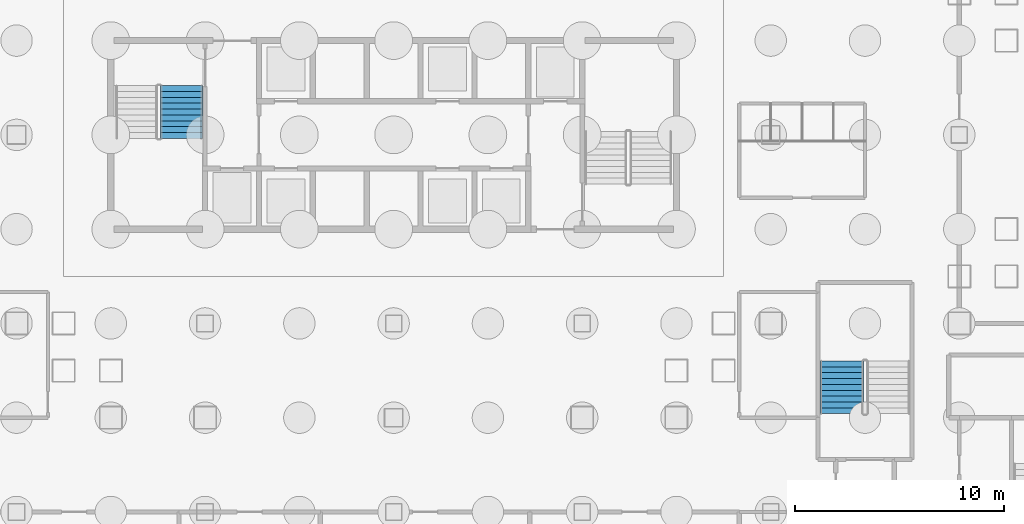
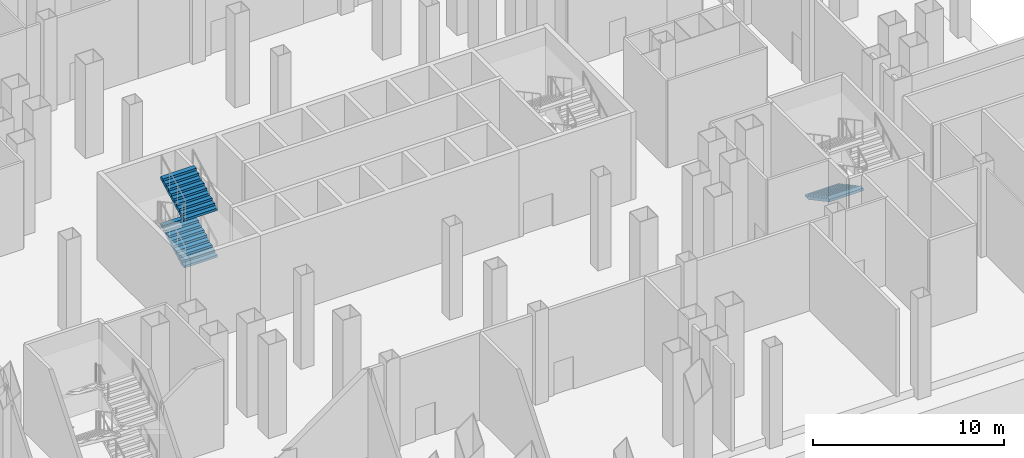
# One storey, part 10 of 25: 3 stair flights, 2 elements without a shape of their own.
"""IFC4 building model written with IfcOpenShell, lengths in metres."""

from ifc_helpers import new_model, si_unit, direction, frame, origin, place, context, subcontext, project, spatial, polygons, material, type_object, element, aggregate, save


model = new_model("IFC4")

# Units and contexts
model_context = context("Model", 3, precision=1e-05, world=origin(), true_north=direction((0.0, 1.0)))
body_context = subcontext(model_context, "Body", "Model", "MODEL_VIEW")
ifc_project = project(units=[si_unit("LENGTHUNIT", "METRE"), si_unit("AREAUNIT", "SQUARE_METRE"), si_unit("VOLUMEUNIT", "CUBIC_METRE"), si_unit("PLANEANGLEUNIT", "RADIAN"), si_unit("MASSUNIT", "GRAM", prefix="KILO")], contexts=[model_context])

# Site, building, storey
site_placement = place(None, origin())
site = spatial("IfcSite", under=ifc_project, at=site_placement, CompositionType="ELEMENT")
building_placement = place(site_placement, origin())
building = spatial("IfcBuilding", under=site, at=building_placement, Name="Caravel Reach Hotel and Residences", CompositionType="ELEMENT")
storey_placement = place(building_placement, frame((0.0, 0.0, -6.0)))
storey = spatial("IfcBuildingStorey", under=building, at=storey_placement, Name="B1", CompositionType="ELEMENT", Elevation=-6.0)

# Stair, stair flights
ifc_material_1 = material(Name="Concrete C40", Category="concrete")
stair_type = type_object("IfcStairType", Name="Core stair", PredefinedType="HALF_TURN_STAIR", material=ifc_material_1)
stair_1_placement = place(storey_placement, origin())
stair_1 = element("IfcStair", 1, at=stair_1_placement, inside=storey, type_object=stair_type, Name="B1 Exit stair A", PredefinedType="HALF_TURN_STAIR")
ifc_material_2 = material(Name="Concrete C40", Category="concrete")
stair_flight_type = type_object("IfcStairFlightType", Name="Core stair flight", PredefinedType="STRAIGHT", material=ifc_material_2)
stair_flight_1_placement = place(storey_placement, frame((21.375, 26.830078125, 1.5), z_axis=(0.0, 0.0, 1.0), x_axis=(0.0, 1.0, 0.0)))
stair_flight_1 = element("IfcStairFlight", 2, at=stair_flight_1_placement, type_object=stair_flight_type, Name="ST-A flight 2", NumberOfRisers=10, NumberOfTreads=9, PredefinedType="STRAIGHT", RiserHeight=0.15, TreadLength=0.28, context=body_context, shape_type="Tessellation", body=[
    polygons([(0.3174408016601862, 1.0, 0.0), (0.3174408016601862, 0.6666666666666667, 0.0), (0.3174408016601862, 0.33333333333333337, 0.0), (0.3174408016601862, 0.0, 0.0), (0.3174408016601862, -0.33333333333333326, 0.0), (0.3174408016601862, -0.6666666666666667, 0.0), (0.3174408016601862, -1.0, 0.0), (2.5210000000000004, 1.0, 1.1799424276820432), (2.5210000000000004, 0.6666666666666667, 1.1799424276820432), (2.5210000000000004, 0.33333333333333337, 1.1799424276820432), (2.5210000000000004, 0.0, 1.1799424276820432), (2.5210000000000004, -0.33333333333333326, 1.1799424276820432), (2.5210000000000004, -0.6666666666666667, 1.1799424276820432), (2.5210000000000004, -1.0, 1.1799424276820432), (2.5210000000000004, 1.0, 1.3499999999999999), (2.5210000000000004, 0.6666666666666667, 1.3499999999999999), (2.5210000000000004, 0.33333333333333337, 1.3499999999999999), (2.5210000000000004, 0.0, 1.3499999999999999), (2.5210000000000004, -0.33333333333333326, 1.3499999999999999), (2.5210000000000004, -0.6666666666666667, 1.3499999999999999), (2.5210000000000004, -1.0, 1.3499999999999999), (2.24, 1.0, 1.3499999999999999), (2.24, 0.6666666666666667, 1.3499999999999999), (2.24, 0.33333333333333337, 1.3499999999999999), (2.24, 0.0, 1.3499999999999999), (2.24, -0.33333333333333326, 1.3499999999999999), (2.24, -0.6666666666666667, 1.3499999999999999), (2.24, -1.0, 1.3499999999999999), (2.24, 1.0, 1.2), (2.24, 0.6666666666666667, 1.2), (2.24, 0.33333333333333337, 1.2), (2.24, 0.0, 1.2), (2.24, -0.33333333333333326, 1.2), (2.24, -0.6666666666666667, 1.2), (2.24, -1.0, 1.2), (1.9600000000000002, 1.0, 1.2), (1.9600000000000002, 0.6666666666666667, 1.2), (1.9600000000000002, 0.33333333333333337, 1.2), (1.9600000000000002, 0.0, 1.2), (1.9600000000000002, -0.33333333333333326, 1.2), (1.9600000000000002, -0.6666666666666667, 1.2), (1.9600000000000002, -1.0, 1.2), (1.9600000000000002, 1.0, 1.05), (1.9600000000000002, 0.6666666666666667, 1.05), (1.9600000000000002, 0.33333333333333337, 1.05), (1.9600000000000002, 0.0, 1.05), (1.9600000000000002, -0.33333333333333326, 1.05), (1.9600000000000002, -0.6666666666666667, 1.05), (1.9600000000000002, -1.0, 1.05), (1.6800000000000002, 1.0, 1.05), (1.6800000000000002, 0.6666666666666667, 1.05), (1.6800000000000002, 0.33333333333333337, 1.05), (1.6800000000000002, 0.0, 1.05), (1.6800000000000002, -0.33333333333333326, 1.05), (1.6800000000000002, -0.6666666666666667, 1.05), (1.6800000000000002, -1.0, 1.05), (1.6800000000000002, 1.0, 0.8999999999999999), (1.6800000000000002, 0.6666666666666667, 0.8999999999999999), (1.6800000000000002, 0.33333333333333337, 0.8999999999999999), (1.6800000000000002, 0.0, 0.8999999999999999), (1.6800000000000002, -0.33333333333333326, 0.8999999999999999), (1.6800000000000002, -0.6666666666666667, 0.8999999999999999), (1.6800000000000002, -1.0, 0.8999999999999999), (1.4000000000000001, 1.0, 0.8999999999999999), (1.4000000000000001, 0.6666666666666667, 0.8999999999999999), (1.4000000000000001, 0.33333333333333337, 0.8999999999999999), (1.4000000000000001, 0.0, 0.8999999999999999), (1.4000000000000001, -0.33333333333333326, 0.8999999999999999), (1.4000000000000001, -0.6666666666666667, 0.8999999999999999), (1.4000000000000001, -1.0, 0.8999999999999999), (1.4000000000000001, 1.0, 0.75), (1.4000000000000001, 0.6666666666666667, 0.75), (1.4000000000000001, 0.33333333333333337, 0.75), (1.4000000000000001, 0.0, 0.75), (1.4000000000000001, -0.33333333333333326, 0.75), (1.4000000000000001, -0.6666666666666667, 0.75), (1.4000000000000001, -1.0, 0.75), (1.12, 1.0, 0.75), (1.12, 0.6666666666666667, 0.75), (1.12, 0.33333333333333337, 0.75), (1.12, 0.0, 0.75), (1.12, -0.33333333333333326, 0.75), (1.12, -0.6666666666666667, 0.75), (1.12, -1.0, 0.75), (1.12, 1.0, 0.6), (1.12, 0.6666666666666667, 0.6), (1.12, 0.33333333333333337, 0.6), (1.12, 0.0, 0.6), (1.12, -0.33333333333333326, 0.6), (1.12, -0.6666666666666667, 0.6), (1.12, -1.0, 0.6), (0.8400000000000001, 1.0, 0.6), (0.8400000000000001, 0.6666666666666667, 0.6), (0.8400000000000001, 0.33333333333333337, 0.6), (0.8400000000000001, 0.0, 0.6), (0.8400000000000001, -0.33333333333333326, 0.6), (0.8400000000000001, -0.6666666666666667, 0.6), (0.8400000000000001, -1.0, 0.6), (0.8400000000000001, 1.0, 0.44999999999999996), (0.8400000000000001, 0.6666666666666667, 0.44999999999999996), (0.8400000000000001, 0.33333333333333337, 0.44999999999999996), (0.8400000000000001, 0.0, 0.44999999999999996), (0.8400000000000001, -0.33333333333333326, 0.44999999999999996), (0.8400000000000001, -0.6666666666666667, 0.44999999999999996), (0.8400000000000001, -1.0, 0.44999999999999996), (0.56, 1.0, 0.44999999999999996), (0.56, 0.6666666666666667, 0.44999999999999996), (0.56, 0.33333333333333337, 0.44999999999999996), (0.56, 0.0, 0.44999999999999996), (0.56, -0.33333333333333326, 0.44999999999999996), (0.56, -0.6666666666666667, 0.44999999999999996), (0.56, -1.0, 0.44999999999999996), (0.56, 1.0, 0.3), (0.56, 0.6666666666666667, 0.3), (0.56, 0.33333333333333337, 0.3), (0.56, 0.0, 0.3), (0.56, -0.33333333333333326, 0.3), (0.56, -0.6666666666666667, 0.3), (0.56, -1.0, 0.3), (0.28, 1.0, 0.3), (0.28, 0.6666666666666667, 0.3), (0.28, 0.33333333333333337, 0.3), (0.28, 0.0, 0.3), (0.28, -0.33333333333333326, 0.3), (0.28, -0.6666666666666667, 0.3), (0.28, -1.0, 0.3), (0.28, 1.0, 0.15), (0.28, 0.6666666666666667, 0.15), (0.28, 0.33333333333333337, 0.15), (0.28, 0.0, 0.15), (0.28, -0.33333333333333326, 0.15), (0.28, -0.6666666666666667, 0.15), (0.28, -1.0, 0.15), (-0.001, 1.0, 0.15), (-0.001, 0.6666666666666667, 0.15), (-0.001, 0.33333333333333337, 0.15), (-0.001, 0.0, 0.15), (-0.001, -0.33333333333333326, 0.15), (-0.001, -0.6666666666666667, 0.15), (-0.001, -1.0, 0.15), (-0.001, 1.0, 0.0), (-0.001, 0.6666666666666667, 0.0), (-0.001, 0.33333333333333337, 0.0), (-0.001, 0.0, 0.0), (-0.001, -0.33333333333333326, 0.0), (-0.001, -0.6666666666666667, 0.0), (-0.001, -1.0, 0.0)], [[[141, 134, 127, 120, 113, 106, 99, 92, 85, 78, 71, 64, 57, 50, 43, 36, 29, 22, 15, 8, 1]], [[7, 14, 21, 28, 35, 42, 49, 56, 63, 70, 77, 84, 91, 98, 105, 112, 119, 126, 133, 140, 147]], [[1, 8, 9, 2]], [[2, 9, 10, 3]], [[3, 10, 11, 4]], [[4, 11, 12, 5]], [[5, 12, 13, 6]], [[6, 13, 14, 7]], [[8, 15, 16, 9]], [[9, 16, 17, 10]], [[10, 17, 18, 11]], [[11, 18, 19, 12]], [[12, 19, 20, 13]], [[13, 20, 21, 14]], [[15, 22, 23, 16]], [[16, 23, 24, 17]], [[17, 24, 25, 18]], [[18, 25, 26, 19]], [[19, 26, 27, 20]], [[20, 27, 28, 21]], [[22, 29, 30, 23]], [[23, 30, 31, 24]], [[24, 31, 32, 25]], [[25, 32, 33, 26]], [[26, 33, 34, 27]], [[27, 34, 35, 28]], [[29, 36, 37, 30]], [[30, 37, 38, 31]], [[31, 38, 39, 32]], [[32, 39, 40, 33]], [[33, 40, 41, 34]], [[34, 41, 42, 35]], [[36, 43, 44, 37]], [[37, 44, 45, 38]], [[38, 45, 46, 39]], [[39, 46, 47, 40]], [[40, 47, 48, 41]], [[41, 48, 49, 42]], [[43, 50, 51, 44]], [[44, 51, 52, 45]], [[45, 52, 53, 46]], [[46, 53, 54, 47]], [[47, 54, 55, 48]], [[48, 55, 56, 49]], [[50, 57, 58, 51]], [[51, 58, 59, 52]], [[52, 59, 60, 53]], [[53, 60, 61, 54]], [[54, 61, 62, 55]], [[55, 62, 63, 56]], [[57, 64, 65, 58]], [[58, 65, 66, 59]], [[59, 66, 67, 60]], [[60, 67, 68, 61]], [[61, 68, 69, 62]], [[62, 69, 70, 63]], [[64, 71, 72, 65]], [[65, 72, 73, 66]], [[66, 73, 74, 67]], [[67, 74, 75, 68]], [[68, 75, 76, 69]], [[69, 76, 77, 70]], [[71, 78, 79, 72]], [[72, 79, 80, 73]], [[73, 80, 81, 74]], [[74, 81, 82, 75]], [[75, 82, 83, 76]], [[76, 83, 84, 77]], [[78, 85, 86, 79]], [[79, 86, 87, 80]], [[80, 87, 88, 81]], [[81, 88, 89, 82]], [[82, 89, 90, 83]], [[83, 90, 91, 84]], [[85, 92, 93, 86]], [[86, 93, 94, 87]], [[87, 94, 95, 88]], [[88, 95, 96, 89]], [[89, 96, 97, 90]], [[90, 97, 98, 91]], [[92, 99, 100, 93]], [[93, 100, 101, 94]], [[94, 101, 102, 95]], [[95, 102, 103, 96]], [[96, 103, 104, 97]], [[97, 104, 105, 98]], [[99, 106, 107, 100]], [[100, 107, 108, 101]], [[101, 108, 109, 102]], [[102, 109, 110, 103]], [[103, 110, 111, 104]], [[104, 111, 112, 105]], [[106, 113, 114, 107]], [[107, 114, 115, 108]], [[108, 115, 116, 109]], [[109, 116, 117, 110]], [[110, 117, 118, 111]], [[111, 118, 119, 112]], [[113, 120, 121, 114]], [[114, 121, 122, 115]], [[115, 122, 123, 116]], [[116, 123, 124, 117]], [[117, 124, 125, 118]], [[118, 125, 126, 119]], [[120, 127, 128, 121]], [[121, 128, 129, 122]], [[122, 129, 130, 123]], [[123, 130, 131, 124]], [[124, 131, 132, 125]], [[125, 132, 133, 126]], [[127, 134, 135, 128]], [[128, 135, 136, 129]], [[129, 136, 137, 130]], [[130, 137, 138, 131]], [[131, 138, 139, 132]], [[132, 139, 140, 133]], [[134, 141, 142, 135]], [[135, 142, 143, 136]], [[136, 143, 144, 137]], [[137, 144, 145, 138]], [[138, 145, 146, 139]], [[139, 146, 147, 140]], [[141, 1, 2, 142]], [[142, 2, 3, 143]], [[143, 3, 4, 144]], [[144, 4, 5, 145]], [[145, 5, 6, 146]], [[146, 6, 7, 147]]], closed=True),
])
stair_flight_2_placement = place(storey_placement, frame((21.375, 26.830078125, 4.5), z_axis=(0.0, 0.0, 1.0), x_axis=(0.0, 1.0, 0.0)))
stair_flight_2 = element("IfcStairFlight", 3, at=stair_flight_2_placement, type_object=stair_flight_type, Name="ST-A flight 4", NumberOfRisers=10, NumberOfTreads=9, PredefinedType="STRAIGHT", RiserHeight=0.15, TreadLength=0.28, context=body_context, shape_type="Tessellation", body=[
    polygons([(0.3174408016601862, 1.0, 0.0), (0.3174408016601862, 0.6666666666666667, 0.0), (0.3174408016601862, 0.33333333333333337, 0.0), (0.3174408016601862, 0.0, 0.0), (0.3174408016601862, -0.33333333333333326, 0.0), (0.3174408016601862, -0.6666666666666667, 0.0), (0.3174408016601862, -1.0, 0.0), (2.5210000000000004, 1.0, 1.1799424276820432), (2.5210000000000004, 0.6666666666666667, 1.1799424276820432), (2.5210000000000004, 0.33333333333333337, 1.1799424276820432), (2.5210000000000004, 0.0, 1.1799424276820432), (2.5210000000000004, -0.33333333333333326, 1.1799424276820432), (2.5210000000000004, -0.6666666666666667, 1.1799424276820432), (2.5210000000000004, -1.0, 1.1799424276820432), (2.5210000000000004, 1.0, 1.3499999999999999), (2.5210000000000004, 0.6666666666666667, 1.3499999999999999), (2.5210000000000004, 0.33333333333333337, 1.3499999999999999), (2.5210000000000004, 0.0, 1.3499999999999999), (2.5210000000000004, -0.33333333333333326, 1.3499999999999999), (2.5210000000000004, -0.6666666666666667, 1.3499999999999999), (2.5210000000000004, -1.0, 1.3499999999999999), (2.24, 1.0, 1.3499999999999999), (2.24, 0.6666666666666667, 1.3499999999999999), (2.24, 0.33333333333333337, 1.3499999999999999), (2.24, 0.0, 1.3499999999999999), (2.24, -0.33333333333333326, 1.3499999999999999), (2.24, -0.6666666666666667, 1.3499999999999999), (2.24, -1.0, 1.3499999999999999), (2.24, 1.0, 1.2), (2.24, 0.6666666666666667, 1.2), (2.24, 0.33333333333333337, 1.2), (2.24, 0.0, 1.2), (2.24, -0.33333333333333326, 1.2), (2.24, -0.6666666666666667, 1.2), (2.24, -1.0, 1.2), (1.9600000000000002, 1.0, 1.2), (1.9600000000000002, 0.6666666666666667, 1.2), (1.9600000000000002, 0.33333333333333337, 1.2), (1.9600000000000002, 0.0, 1.2), (1.9600000000000002, -0.33333333333333326, 1.2), (1.9600000000000002, -0.6666666666666667, 1.2), (1.9600000000000002, -1.0, 1.2), (1.9600000000000002, 1.0, 1.05), (1.9600000000000002, 0.6666666666666667, 1.05), (1.9600000000000002, 0.33333333333333337, 1.05), (1.9600000000000002, 0.0, 1.05), (1.9600000000000002, -0.33333333333333326, 1.05), (1.9600000000000002, -0.6666666666666667, 1.05), (1.9600000000000002, -1.0, 1.05), (1.6800000000000002, 1.0, 1.05), (1.6800000000000002, 0.6666666666666667, 1.05), (1.6800000000000002, 0.33333333333333337, 1.05), (1.6800000000000002, 0.0, 1.05), (1.6800000000000002, -0.33333333333333326, 1.05), (1.6800000000000002, -0.6666666666666667, 1.05), (1.6800000000000002, -1.0, 1.05), (1.6800000000000002, 1.0, 0.8999999999999999), (1.6800000000000002, 0.6666666666666667, 0.8999999999999999), (1.6800000000000002, 0.33333333333333337, 0.8999999999999999), (1.6800000000000002, 0.0, 0.8999999999999999), (1.6800000000000002, -0.33333333333333326, 0.8999999999999999), (1.6800000000000002, -0.6666666666666667, 0.8999999999999999), (1.6800000000000002, -1.0, 0.8999999999999999), (1.4000000000000001, 1.0, 0.8999999999999999), (1.4000000000000001, 0.6666666666666667, 0.8999999999999999), (1.4000000000000001, 0.33333333333333337, 0.8999999999999999), (1.4000000000000001, 0.0, 0.8999999999999999), (1.4000000000000001, -0.33333333333333326, 0.8999999999999999), (1.4000000000000001, -0.6666666666666667, 0.8999999999999999), (1.4000000000000001, -1.0, 0.8999999999999999), (1.4000000000000001, 1.0, 0.75), (1.4000000000000001, 0.6666666666666667, 0.75), (1.4000000000000001, 0.33333333333333337, 0.75), (1.4000000000000001, 0.0, 0.75), (1.4000000000000001, -0.33333333333333326, 0.75), (1.4000000000000001, -0.6666666666666667, 0.75), (1.4000000000000001, -1.0, 0.75), (1.12, 1.0, 0.75), (1.12, 0.6666666666666667, 0.75), (1.12, 0.33333333333333337, 0.75), (1.12, 0.0, 0.75), (1.12, -0.33333333333333326, 0.75), (1.12, -0.6666666666666667, 0.75), (1.12, -1.0, 0.75), (1.12, 1.0, 0.6), (1.12, 0.6666666666666667, 0.6), (1.12, 0.33333333333333337, 0.6), (1.12, 0.0, 0.6), (1.12, -0.33333333333333326, 0.6), (1.12, -0.6666666666666667, 0.6), (1.12, -1.0, 0.6), (0.8400000000000001, 1.0, 0.6), (0.8400000000000001, 0.6666666666666667, 0.6), (0.8400000000000001, 0.33333333333333337, 0.6), (0.8400000000000001, 0.0, 0.6), (0.8400000000000001, -0.33333333333333326, 0.6), (0.8400000000000001, -0.6666666666666667, 0.6), (0.8400000000000001, -1.0, 0.6), (0.8400000000000001, 1.0, 0.44999999999999996), (0.8400000000000001, 0.6666666666666667, 0.44999999999999996), (0.8400000000000001, 0.33333333333333337, 0.44999999999999996), (0.8400000000000001, 0.0, 0.44999999999999996), (0.8400000000000001, -0.33333333333333326, 0.44999999999999996), (0.8400000000000001, -0.6666666666666667, 0.44999999999999996), (0.8400000000000001, -1.0, 0.44999999999999996), (0.56, 1.0, 0.44999999999999996), (0.56, 0.6666666666666667, 0.44999999999999996), (0.56, 0.33333333333333337, 0.44999999999999996), (0.56, 0.0, 0.44999999999999996), (0.56, -0.33333333333333326, 0.44999999999999996), (0.56, -0.6666666666666667, 0.44999999999999996), (0.56, -1.0, 0.44999999999999996), (0.56, 1.0, 0.3), (0.56, 0.6666666666666667, 0.3), (0.56, 0.33333333333333337, 0.3), (0.56, 0.0, 0.3), (0.56, -0.33333333333333326, 0.3), (0.56, -0.6666666666666667, 0.3), (0.56, -1.0, 0.3), (0.28, 1.0, 0.3), (0.28, 0.6666666666666667, 0.3), (0.28, 0.33333333333333337, 0.3), (0.28, 0.0, 0.3), (0.28, -0.33333333333333326, 0.3), (0.28, -0.6666666666666667, 0.3), (0.28, -1.0, 0.3), (0.28, 1.0, 0.15), (0.28, 0.6666666666666667, 0.15), (0.28, 0.33333333333333337, 0.15), (0.28, 0.0, 0.15), (0.28, -0.33333333333333326, 0.15), (0.28, -0.6666666666666667, 0.15), (0.28, -1.0, 0.15), (-0.001, 1.0, 0.15), (-0.001, 0.6666666666666667, 0.15), (-0.001, 0.33333333333333337, 0.15), (-0.001, 0.0, 0.15), (-0.001, -0.33333333333333326, 0.15), (-0.001, -0.6666666666666667, 0.15), (-0.001, -1.0, 0.15), (-0.001, 1.0, 0.0), (-0.001, 0.6666666666666667, 0.0), (-0.001, 0.33333333333333337, 0.0), (-0.001, 0.0, 0.0), (-0.001, -0.33333333333333326, 0.0), (-0.001, -0.6666666666666667, 0.0), (-0.001, -1.0, 0.0)], [[[141, 134, 127, 120, 113, 106, 99, 92, 85, 78, 71, 64, 57, 50, 43, 36, 29, 22, 15, 8, 1]], [[7, 14, 21, 28, 35, 42, 49, 56, 63, 70, 77, 84, 91, 98, 105, 112, 119, 126, 133, 140, 147]], [[1, 8, 9, 2]], [[2, 9, 10, 3]], [[3, 10, 11, 4]], [[4, 11, 12, 5]], [[5, 12, 13, 6]], [[6, 13, 14, 7]], [[8, 15, 16, 9]], [[9, 16, 17, 10]], [[10, 17, 18, 11]], [[11, 18, 19, 12]], [[12, 19, 20, 13]], [[13, 20, 21, 14]], [[15, 22, 23, 16]], [[16, 23, 24, 17]], [[17, 24, 25, 18]], [[18, 25, 26, 19]], [[19, 26, 27, 20]], [[20, 27, 28, 21]], [[22, 29, 30, 23]], [[23, 30, 31, 24]], [[24, 31, 32, 25]], [[25, 32, 33, 26]], [[26, 33, 34, 27]], [[27, 34, 35, 28]], [[29, 36, 37, 30]], [[30, 37, 38, 31]], [[31, 38, 39, 32]], [[32, 39, 40, 33]], [[33, 40, 41, 34]], [[34, 41, 42, 35]], [[36, 43, 44, 37]], [[37, 44, 45, 38]], [[38, 45, 46, 39]], [[39, 46, 47, 40]], [[40, 47, 48, 41]], [[41, 48, 49, 42]], [[43, 50, 51, 44]], [[44, 51, 52, 45]], [[45, 52, 53, 46]], [[46, 53, 54, 47]], [[47, 54, 55, 48]], [[48, 55, 56, 49]], [[50, 57, 58, 51]], [[51, 58, 59, 52]], [[52, 59, 60, 53]], [[53, 60, 61, 54]], [[54, 61, 62, 55]], [[55, 62, 63, 56]], [[57, 64, 65, 58]], [[58, 65, 66, 59]], [[59, 66, 67, 60]], [[60, 67, 68, 61]], [[61, 68, 69, 62]], [[62, 69, 70, 63]], [[64, 71, 72, 65]], [[65, 72, 73, 66]], [[66, 73, 74, 67]], [[67, 74, 75, 68]], [[68, 75, 76, 69]], [[69, 76, 77, 70]], [[71, 78, 79, 72]], [[72, 79, 80, 73]], [[73, 80, 81, 74]], [[74, 81, 82, 75]], [[75, 82, 83, 76]], [[76, 83, 84, 77]], [[78, 85, 86, 79]], [[79, 86, 87, 80]], [[80, 87, 88, 81]], [[81, 88, 89, 82]], [[82, 89, 90, 83]], [[83, 90, 91, 84]], [[85, 92, 93, 86]], [[86, 93, 94, 87]], [[87, 94, 95, 88]], [[88, 95, 96, 89]], [[89, 96, 97, 90]], [[90, 97, 98, 91]], [[92, 99, 100, 93]], [[93, 100, 101, 94]], [[94, 101, 102, 95]], [[95, 102, 103, 96]], [[96, 103, 104, 97]], [[97, 104, 105, 98]], [[99, 106, 107, 100]], [[100, 107, 108, 101]], [[101, 108, 109, 102]], [[102, 109, 110, 103]], [[103, 110, 111, 104]], [[104, 111, 112, 105]], [[106, 113, 114, 107]], [[107, 114, 115, 108]], [[108, 115, 116, 109]], [[109, 116, 117, 110]], [[110, 117, 118, 111]], [[111, 118, 119, 112]], [[113, 120, 121, 114]], [[114, 121, 122, 115]], [[115, 122, 123, 116]], [[116, 123, 124, 117]], [[117, 124, 125, 118]], [[118, 125, 126, 119]], [[120, 127, 128, 121]], [[121, 128, 129, 122]], [[122, 129, 130, 123]], [[123, 130, 131, 124]], [[124, 131, 132, 125]], [[125, 132, 133, 126]], [[127, 134, 135, 128]], [[128, 135, 136, 129]], [[129, 136, 137, 130]], [[130, 137, 138, 131]], [[131, 138, 139, 132]], [[132, 139, 140, 133]], [[134, 141, 142, 135]], [[135, 142, 143, 136]], [[136, 143, 144, 137]], [[137, 144, 145, 138]], [[138, 145, 146, 139]], [[139, 146, 147, 140]], [[141, 1, 2, 142]], [[142, 2, 3, 143]], [[143, 3, 4, 144]], [[144, 4, 5, 145]], [[145, 5, 6, 146]], [[146, 6, 7, 147]]], closed=True),
])
aggregate(stair_1, [stair_flight_1, stair_flight_2])

# Stair, stair flight
stair_2_placement = place(storey_placement, origin())
stair_2 = element("IfcStair", 4, at=stair_2_placement, inside=storey, type_object=stair_type, Name="B1 Exit stair P4", PredefinedType="HALF_TURN_STAIR")
stair_flight_3_placement = place(storey_placement, frame((52.889892578125, 16.2099609375, 1.5), z_axis=(0.0, 0.0, 1.0), x_axis=(0.0, -1.0, 0.0)))
stair_flight_3 = element("IfcStairFlight", 5, at=stair_flight_3_placement, type_object=stair_flight_type, Name="ST-P4 flight 2", NumberOfRisers=10, NumberOfTreads=9, PredefinedType="STRAIGHT", RiserHeight=0.15, TreadLength=0.28, context=body_context, shape_type="Tessellation", body=[
    polygons([(0.3174408016601862, 1.0350341796875, 0.0), (0.3174408016601862, 0.6900227864583333, 0.0), (0.3174408016601862, 0.34501139322916663, 0.0), (0.3174408016601862, 0.0, 0.0), (0.3174408016601862, -0.34501139322916674, 0.0), (0.3174408016601862, -0.6900227864583333, 0.0), (0.3174408016601862, -1.0350341796875, 0.0), (2.5210000000000004, 1.0350341796875, 1.1799424276820432), (2.5210000000000004, 0.6900227864583333, 1.1799424276820432), (2.5210000000000004, 0.34501139322916663, 1.1799424276820432), (2.5210000000000004, 0.0, 1.1799424276820432), (2.5210000000000004, -0.34501139322916674, 1.1799424276820432), (2.5210000000000004, -0.6900227864583333, 1.1799424276820432), (2.5210000000000004, -1.0350341796875, 1.1799424276820432), (2.5210000000000004, 1.0350341796875, 1.3499999999999999), (2.5210000000000004, 0.6900227864583333, 1.3499999999999999), (2.5210000000000004, 0.34501139322916663, 1.3499999999999999), (2.5210000000000004, 0.0, 1.3499999999999999), (2.5210000000000004, -0.34501139322916674, 1.3499999999999999), (2.5210000000000004, -0.6900227864583333, 1.3499999999999999), (2.5210000000000004, -1.0350341796875, 1.3499999999999999), (2.24, 1.0350341796875, 1.3499999999999999), (2.24, 0.6900227864583333, 1.3499999999999999), (2.24, 0.34501139322916663, 1.3499999999999999), (2.24, 0.0, 1.3499999999999999), (2.24, -0.34501139322916674, 1.3499999999999999), (2.24, -0.6900227864583333, 1.3499999999999999), (2.24, -1.0350341796875, 1.3499999999999999), (2.24, 1.0350341796875, 1.2), (2.24, 0.6900227864583333, 1.2), (2.24, 0.34501139322916663, 1.2), (2.24, 0.0, 1.2), (2.24, -0.34501139322916674, 1.2), (2.24, -0.6900227864583333, 1.2), (2.24, -1.0350341796875, 1.2), (1.9600000000000002, 1.0350341796875, 1.2), (1.9600000000000002, 0.6900227864583333, 1.2), (1.9600000000000002, 0.34501139322916663, 1.2), (1.9600000000000002, 0.0, 1.2), (1.9600000000000002, -0.34501139322916674, 1.2), (1.9600000000000002, -0.6900227864583333, 1.2), (1.9600000000000002, -1.0350341796875, 1.2), (1.9600000000000002, 1.0350341796875, 1.05), (1.9600000000000002, 0.6900227864583333, 1.05), (1.9600000000000002, 0.34501139322916663, 1.05), (1.9600000000000002, 0.0, 1.05), (1.9600000000000002, -0.34501139322916674, 1.05), (1.9600000000000002, -0.6900227864583333, 1.05), (1.9600000000000002, -1.0350341796875, 1.05), (1.6800000000000002, 1.0350341796875, 1.05), (1.6800000000000002, 0.6900227864583333, 1.05), (1.6800000000000002, 0.34501139322916663, 1.05), (1.6800000000000002, 0.0, 1.05), (1.6800000000000002, -0.34501139322916674, 1.05), (1.6800000000000002, -0.6900227864583333, 1.05), (1.6800000000000002, -1.0350341796875, 1.05), (1.6800000000000002, 1.0350341796875, 0.8999999999999999), (1.6800000000000002, 0.6900227864583333, 0.8999999999999999), (1.6800000000000002, 0.34501139322916663, 0.8999999999999999), (1.6800000000000002, 0.0, 0.8999999999999999), (1.6800000000000002, -0.34501139322916674, 0.8999999999999999), (1.6800000000000002, -0.6900227864583333, 0.8999999999999999), (1.6800000000000002, -1.0350341796875, 0.8999999999999999), (1.4000000000000001, 1.0350341796875, 0.8999999999999999), (1.4000000000000001, 0.6900227864583333, 0.8999999999999999), (1.4000000000000001, 0.34501139322916663, 0.8999999999999999), (1.4000000000000001, 0.0, 0.8999999999999999), (1.4000000000000001, -0.34501139322916674, 0.8999999999999999), (1.4000000000000001, -0.6900227864583333, 0.8999999999999999), (1.4000000000000001, -1.0350341796875, 0.8999999999999999), (1.4000000000000001, 1.0350341796875, 0.75), (1.4000000000000001, 0.6900227864583333, 0.75), (1.4000000000000001, 0.34501139322916663, 0.75), (1.4000000000000001, 0.0, 0.75), (1.4000000000000001, -0.34501139322916674, 0.75), (1.4000000000000001, -0.6900227864583333, 0.75), (1.4000000000000001, -1.0350341796875, 0.75), (1.12, 1.0350341796875, 0.75), (1.12, 0.6900227864583333, 0.75), (1.12, 0.34501139322916663, 0.75), (1.12, 0.0, 0.75), (1.12, -0.34501139322916674, 0.75), (1.12, -0.6900227864583333, 0.75), (1.12, -1.0350341796875, 0.75), (1.12, 1.0350341796875, 0.6), (1.12, 0.6900227864583333, 0.6), (1.12, 0.34501139322916663, 0.6), (1.12, 0.0, 0.6), (1.12, -0.34501139322916674, 0.6), (1.12, -0.6900227864583333, 0.6), (1.12, -1.0350341796875, 0.6), (0.8400000000000001, 1.0350341796875, 0.6), (0.8400000000000001, 0.6900227864583333, 0.6), (0.8400000000000001, 0.34501139322916663, 0.6), (0.8400000000000001, 0.0, 0.6), (0.8400000000000001, -0.34501139322916674, 0.6), (0.8400000000000001, -0.6900227864583333, 0.6), (0.8400000000000001, -1.0350341796875, 0.6), (0.8400000000000001, 1.0350341796875, 0.44999999999999996), (0.8400000000000001, 0.6900227864583333, 0.44999999999999996), (0.8400000000000001, 0.34501139322916663, 0.44999999999999996), (0.8400000000000001, 0.0, 0.44999999999999996), (0.8400000000000001, -0.34501139322916674, 0.44999999999999996), (0.8400000000000001, -0.6900227864583333, 0.44999999999999996), (0.8400000000000001, -1.0350341796875, 0.44999999999999996), (0.56, 1.0350341796875, 0.44999999999999996), (0.56, 0.6900227864583333, 0.44999999999999996), (0.56, 0.34501139322916663, 0.44999999999999996), (0.56, 0.0, 0.44999999999999996), (0.56, -0.34501139322916674, 0.44999999999999996), (0.56, -0.6900227864583333, 0.44999999999999996), (0.56, -1.0350341796875, 0.44999999999999996), (0.56, 1.0350341796875, 0.3), (0.56, 0.6900227864583333, 0.3), (0.56, 0.34501139322916663, 0.3), (0.56, 0.0, 0.3), (0.56, -0.34501139322916674, 0.3), (0.56, -0.6900227864583333, 0.3), (0.56, -1.0350341796875, 0.3), (0.28, 1.0350341796875, 0.3), (0.28, 0.6900227864583333, 0.3), (0.28, 0.34501139322916663, 0.3), (0.28, 0.0, 0.3), (0.28, -0.34501139322916674, 0.3), (0.28, -0.6900227864583333, 0.3), (0.28, -1.0350341796875, 0.3), (0.28, 1.0350341796875, 0.15), (0.28, 0.6900227864583333, 0.15), (0.28, 0.34501139322916663, 0.15), (0.28, 0.0, 0.15), (0.28, -0.34501139322916674, 0.15), (0.28, -0.6900227864583333, 0.15), (0.28, -1.0350341796875, 0.15), (-0.001, 1.0350341796875, 0.15), (-0.001, 0.6900227864583333, 0.15), (-0.001, 0.34501139322916663, 0.15), (-0.001, 0.0, 0.15), (-0.001, -0.34501139322916674, 0.15), (-0.001, -0.6900227864583333, 0.15), (-0.001, -1.0350341796875, 0.15), (-0.001, 1.0350341796875, 0.0), (-0.001, 0.6900227864583333, 0.0), (-0.001, 0.34501139322916663, 0.0), (-0.001, 0.0, 0.0), (-0.001, -0.34501139322916674, 0.0), (-0.001, -0.6900227864583333, 0.0), (-0.001, -1.0350341796875, 0.0)], [[[141, 134, 127, 120, 113, 106, 99, 92, 85, 78, 71, 64, 57, 50, 43, 36, 29, 22, 15, 8, 1]], [[7, 14, 21, 28, 35, 42, 49, 56, 63, 70, 77, 84, 91, 98, 105, 112, 119, 126, 133, 140, 147]], [[1, 8, 9, 2]], [[2, 9, 10, 3]], [[3, 10, 11, 4]], [[4, 11, 12, 5]], [[5, 12, 13, 6]], [[6, 13, 14, 7]], [[8, 15, 16, 9]], [[9, 16, 17, 10]], [[10, 17, 18, 11]], [[11, 18, 19, 12]], [[12, 19, 20, 13]], [[13, 20, 21, 14]], [[15, 22, 23, 16]], [[16, 23, 24, 17]], [[17, 24, 25, 18]], [[18, 25, 26, 19]], [[19, 26, 27, 20]], [[20, 27, 28, 21]], [[22, 29, 30, 23]], [[23, 30, 31, 24]], [[24, 31, 32, 25]], [[25, 32, 33, 26]], [[26, 33, 34, 27]], [[27, 34, 35, 28]], [[29, 36, 37, 30]], [[30, 37, 38, 31]], [[31, 38, 39, 32]], [[32, 39, 40, 33]], [[33, 40, 41, 34]], [[34, 41, 42, 35]], [[36, 43, 44, 37]], [[37, 44, 45, 38]], [[38, 45, 46, 39]], [[39, 46, 47, 40]], [[40, 47, 48, 41]], [[41, 48, 49, 42]], [[43, 50, 51, 44]], [[44, 51, 52, 45]], [[45, 52, 53, 46]], [[46, 53, 54, 47]], [[47, 54, 55, 48]], [[48, 55, 56, 49]], [[50, 57, 58, 51]], [[51, 58, 59, 52]], [[52, 59, 60, 53]], [[53, 60, 61, 54]], [[54, 61, 62, 55]], [[55, 62, 63, 56]], [[57, 64, 65, 58]], [[58, 65, 66, 59]], [[59, 66, 67, 60]], [[60, 67, 68, 61]], [[61, 68, 69, 62]], [[62, 69, 70, 63]], [[64, 71, 72, 65]], [[65, 72, 73, 66]], [[66, 73, 74, 67]], [[67, 74, 75, 68]], [[68, 75, 76, 69]], [[69, 76, 77, 70]], [[71, 78, 79, 72]], [[72, 79, 80, 73]], [[73, 80, 81, 74]], [[74, 81, 82, 75]], [[75, 82, 83, 76]], [[76, 83, 84, 77]], [[78, 85, 86, 79]], [[79, 86, 87, 80]], [[80, 87, 88, 81]], [[81, 88, 89, 82]], [[82, 89, 90, 83]], [[83, 90, 91, 84]], [[85, 92, 93, 86]], [[86, 93, 94, 87]], [[87, 94, 95, 88]], [[88, 95, 96, 89]], [[89, 96, 97, 90]], [[90, 97, 98, 91]], [[92, 99, 100, 93]], [[93, 100, 101, 94]], [[94, 101, 102, 95]], [[95, 102, 103, 96]], [[96, 103, 104, 97]], [[97, 104, 105, 98]], [[99, 106, 107, 100]], [[100, 107, 108, 101]], [[101, 108, 109, 102]], [[102, 109, 110, 103]], [[103, 110, 111, 104]], [[104, 111, 112, 105]], [[106, 113, 114, 107]], [[107, 114, 115, 108]], [[108, 115, 116, 109]], [[109, 116, 117, 110]], [[110, 117, 118, 111]], [[111, 118, 119, 112]], [[113, 120, 121, 114]], [[114, 121, 122, 115]], [[115, 122, 123, 116]], [[116, 123, 124, 117]], [[117, 124, 125, 118]], [[118, 125, 126, 119]], [[120, 127, 128, 121]], [[121, 128, 129, 122]], [[122, 129, 130, 123]], [[123, 130, 131, 124]], [[124, 131, 132, 125]], [[125, 132, 133, 126]], [[127, 134, 135, 128]], [[128, 135, 136, 129]], [[129, 136, 137, 130]], [[130, 137, 138, 131]], [[131, 138, 139, 132]], [[132, 139, 140, 133]], [[134, 141, 142, 135]], [[135, 142, 143, 136]], [[136, 143, 144, 137]], [[137, 144, 145, 138]], [[138, 145, 146, 139]], [[139, 146, 147, 140]], [[141, 1, 2, 142]], [[142, 2, 3, 143]], [[143, 3, 4, 144]], [[144, 4, 5, 145]], [[145, 5, 6, 146]], [[146, 6, 7, 147]]], closed=True),
])
aggregate(stair_2, [stair_flight_3])

save(model, "model.ifc")
